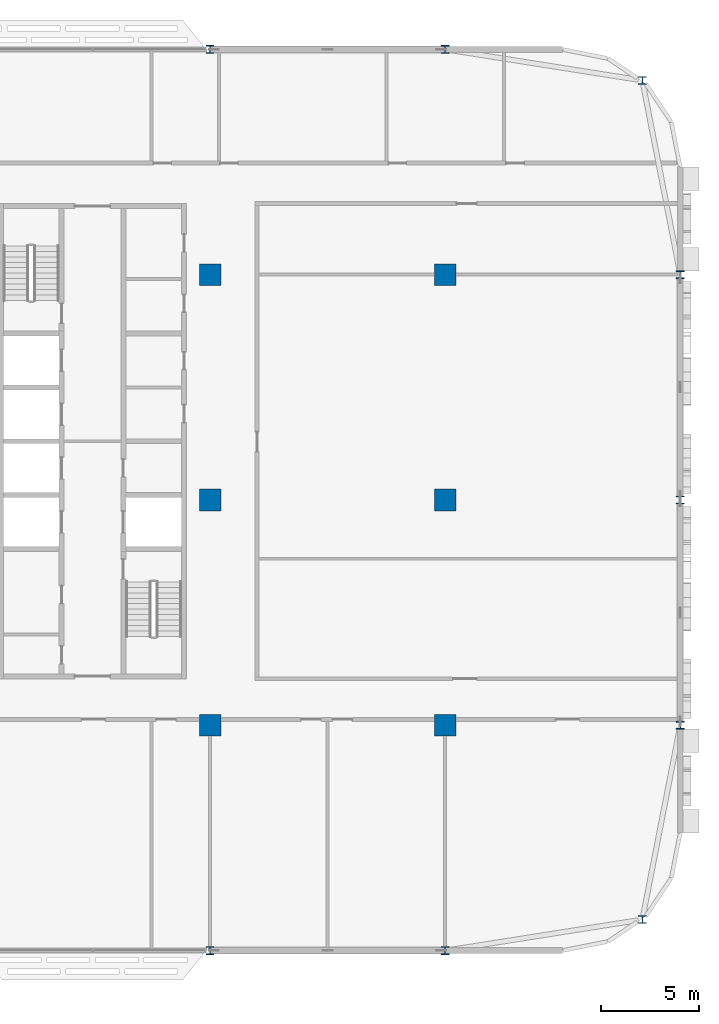
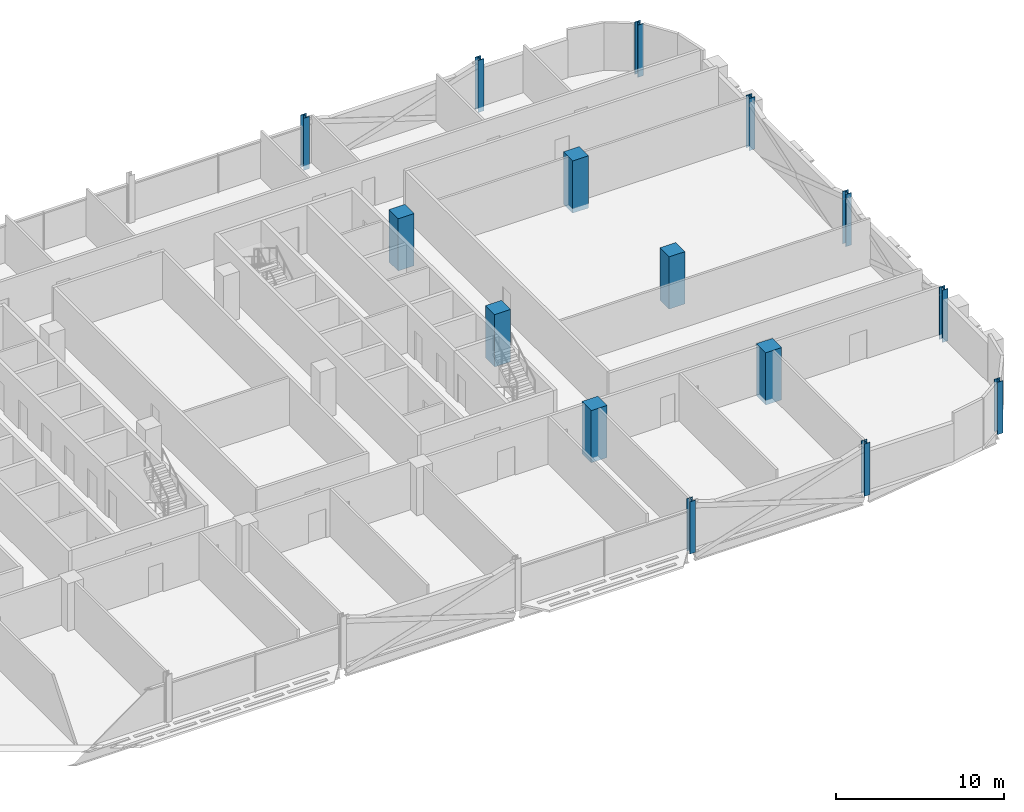
# One storey, part 3 of 30: 15 columns.
"""IFC4 building model written with IfcOpenShell, lengths in metres."""

from ifc_helpers import new_model, si_unit, direction, frame, origin, origin_2d, place, context, subcontext, project, spatial, rectangle, i_section, extrude, material, material_profile, profile_set, type_object, element, save


model = new_model("IFC4")

# Units and contexts
model_context = context("Model", 3, precision=1e-05, world=origin(), true_north=direction((0.0, 1.0)))
body_context = subcontext(model_context, "Body", "Model", "MODEL_VIEW")
ifc_project = project(units=[si_unit("LENGTHUNIT", "METRE"), si_unit("AREAUNIT", "SQUARE_METRE"), si_unit("VOLUMEUNIT", "CUBIC_METRE"), si_unit("PLANEANGLEUNIT", "RADIAN"), si_unit("MASSUNIT", "GRAM", prefix="KILO")], contexts=[model_context])

# Site, building, storey
site_placement = place(None, origin())
site = spatial("IfcSite", under=ifc_project, at=site_placement, CompositionType="ELEMENT")
building_placement = place(site_placement, origin())
building = spatial("IfcBuilding", under=site, at=building_placement, Name="Mahtab Terrace Research Tower", CompositionType="ELEMENT")
storey_placement = place(building_placement, frame((0.0, 0.0, 201.5)))
storey = spatial("IfcBuildingStorey", under=building, at=storey_placement, Name="L48", CompositionType="ELEMENT", Elevation=201.5)

# Columns
ifc_material_1 = material(Name="Concrete C70/85", Category="concrete")
ifc_material_profile_1 = material_profile(ifc_material_1, rectangle(XDim=1.10009765625, YDim=1.10009765625, at=origin_2d()), Name="RC column 1100x1100")
ifc_profile_set_1 = profile_set([ifc_material_profile_1], Name="Concrete C70/85")
column_type_1 = type_object("IfcColumnType", Name="RC column 1100x1100", PredefinedType="COLUMN", material=ifc_profile_set_1)
for number, where, z_axis, x_axis, name in (
    (1, (30.0, -11.5, -0.340087890625), (0.0, 0.0, 1.0), (1.0, 0.0, 0.0), "Column RC-7A L48"),
    (2, (30.0, 0.0, -0.340087890625), (0.0, 0.0, 1.0), (1.0, 0.0, 0.0), "Column RC-7B L48"),
    (3, (30.0, 11.5, -0.340087890625), (0.0, 0.0, 1.0), (1.0, 0.0, 0.0), "Column RC-7C L48"),
    (4, (42.0, -11.5, -0.340087890625), (0.0, 0.0, 1.0), (1.0, 0.0, 0.0), "Column RC-8A L48"),
    (5, (42.0, 0.0, -0.340087890625), (0.0, 0.0, 1.0), (1.0, 0.0, 0.0), "Column RC-8B L48"),
    (6, (42.0, 11.5, -0.340087890625), (0.0, 0.0, 1.0), (1.0, 0.0, 0.0), "Column RC-8C L48"),
):
    element("IfcColumn", number, at=place(storey_placement, frame(where, z_axis=z_axis, x_axis=x_axis)), inside=storey, type_object=column_type_1, Name=name, PredefinedType="COLUMN", context=body_context, shape_type="SweptSolid", body=[
        extrude(rectangle(XDim=1.10009765625, YDim=1.10009765625, at=origin_2d()), origin(), (0.0, 0.0, 1.0), 3.800048828125),
    ])
ifc_material_2 = material(Name="Steel ASTM A992 Gr 50", Category="steel")
ifc_material_profile_2 = material_profile(ifc_material_2, i_section(OverallWidth=0.4013671875, OverallDepth=0.398681640625, WebThickness=0.02490234375, FlangeThickness=0.03955078125, at=origin_2d()), Name="W14X211")
ifc_profile_set_2 = profile_set([ifc_material_profile_2], Name="Steel ASTM A992 Gr 50")
column_type_2 = type_object("IfcColumnType", Name="W14x211 column CS14211", PredefinedType="COLUMN", material=ifc_profile_set_2)
for number, where, z_axis, x_axis, name in (
    (7, (52.06201171875, 21.416015625, -0.340087890625), (0.0, 0.0, 1.0), (1.0, 0.0, 0.0), "Column SC-023 L48"),
    (8, (42.0, 23.0, -0.340087890625), (0.0, 0.0, 1.0), (1.0, 0.0, 0.0), "Column SC-001 L48"),
    (9, (30.0, 23.0, -0.340087890625), (0.0, 0.0, 1.0), (1.0, 0.0, 0.0), "Column SC-002 L48"),
    (10, (30.0, -23.0, -0.340087890625), (0.0, 0.0, 1.0), (1.0, 0.0, 0.0), "Column SC-018 L48"),
    (11, (42.0, -23.0, -0.340087890625), (0.0, 0.0, 1.0), (1.0, 0.0, 0.0), "Column SC-019 L48"),
    (12, (52.06201171875, -21.416015625, -0.340087890625), (0.0, 0.0, 1.0), (1.0, 0.0, 0.0), "Column SC-026 L48"),
    (13, (54.0, -11.5, -0.340087890625), (0.0, 0.0, 1.0), (1.0, 0.0, 0.0), "Column SC-027 L48"),
    (14, (54.0, 0.0, -0.340087890625), (0.0, 0.0, 1.0), (1.0, 0.0, 0.0), "Column SC-028 L48"),
    (15, (54.0, 11.5, -0.340087890625), (0.0, 0.0, 1.0), (1.0, 0.0, 0.0), "Column SC-029 L48"),
):
    element("IfcColumn", number, at=place(storey_placement, frame(where, z_axis=z_axis, x_axis=x_axis)), inside=storey, type_object=column_type_2, Name=name, PredefinedType="COLUMN", context=body_context, shape_type="SweptSolid", body=[
        extrude(i_section(OverallWidth=0.4013671875, OverallDepth=0.398681640625, WebThickness=0.02490234375, FlangeThickness=0.03955078125, at=origin_2d()), origin(), (0.0, 0.0, 1.0), 3.800048828125),
    ])

save(model, "model.ifc")
